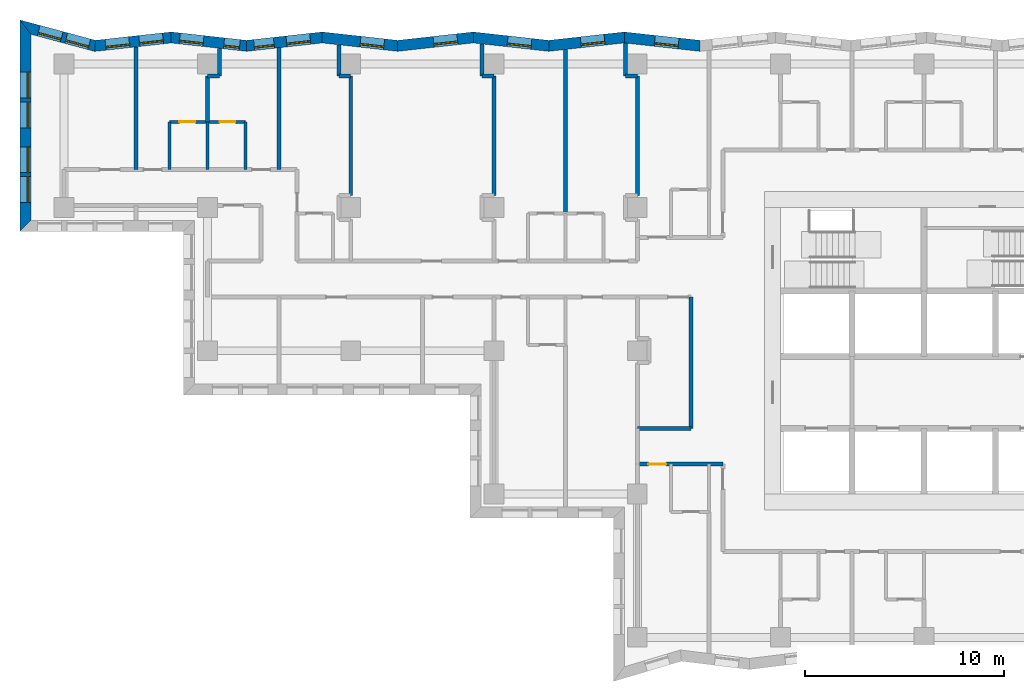
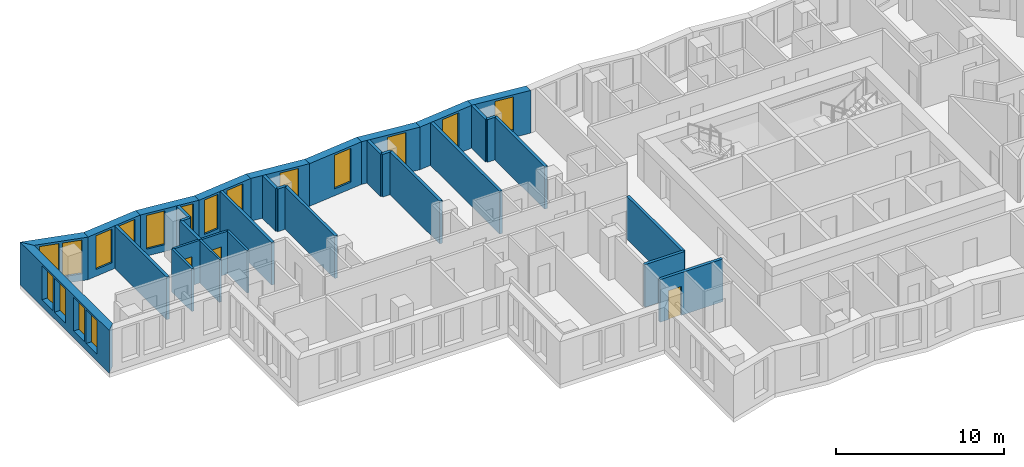
# One storey, part 5 of 13: 32 walls, 17 windows, 3 doors, 20 openings.
"""IFC4 building model written with IfcOpenShell, lengths in metres."""

from ifc_helpers import new_model, si_unit, direction, frame, frame_2d, origin, place, context, subcontext, project, spatial, polyline, rectangle, outline, extrude, material, layer, layer_set, type_object, element, fill, save


model = new_model("IFC4")

# Units and contexts
model_context = context("Model", 3, precision=1e-05, world=origin(), true_north=direction((0.0, 1.0)))
body_context = subcontext(model_context, "Body", "Model", "MODEL_VIEW")
ifc_project = project(units=[si_unit("LENGTHUNIT", "METRE"), si_unit("AREAUNIT", "SQUARE_METRE"), si_unit("VOLUMEUNIT", "CUBIC_METRE"), si_unit("PLANEANGLEUNIT", "RADIAN"), si_unit("MASSUNIT", "GRAM", prefix="KILO")], contexts=[model_context])

# Site, building, storey
site_placement = place(None, origin())
site = spatial("IfcSite", under=ifc_project, at=site_placement, CompositionType="ELEMENT")
building_placement = place(site_placement, origin())
building = spatial("IfcBuilding", under=site, at=building_placement, Name="Windrow Commons", CompositionType="ELEMENT")
storey_placement = place(building_placement, frame((0.0, 0.0, 94.8)))
storey = spatial("IfcBuildingStorey", under=building, at=storey_placement, Name="L25", CompositionType="ELEMENT", Elevation=94.8)

# Wall, opening, window
ifc_material_1 = material(Name="Brick masonry, red clay brick", Category="masonry")
ifc_layer_1 = layer(ifc_material_1, 0.55)
ifc_layer_set_1 = layer_set([ifc_layer_1], Name="Brick facade wall 550")
wall_type_1 = type_object("IfcWallType", Name="Brick facade wall 550", PredefinedType="SOLIDWALL", material=ifc_layer_set_1)
wall_1_placement = place(storey_placement, frame((53.5458, 72.9233, 0.0), z_axis=(0.0, 0.0, 1.0), x_axis=(-0.99390702, 0.1102217568, 0.0)))
wall_1 = element("IfcWall", 1, at=wall_1_placement, inside=storey, type_object=wall_type_1, Name="Brick facade wall L25 28", PredefinedType="SOLIDWALL", context=body_context, shape_type="SweptSolid", body=[
    extrude(outline(polyline([(0.0305, -0.275), (3.8501, -0.275), (3.7891, 0.275), (-0.0305, 0.275), (0.0305, -0.275)])), origin(), (0.0, 0.0, 1.0), 3.1),
])
opening_1_placement = place(wall_1_placement, frame((1.0826, 0.0, 0.5)))
opening_1 = element("IfcOpeningElement", 2, at=opening_1_placement, cuts=wall_1, Name="Opening W7D", PredefinedType="OPENING", context=body_context, shape_type="SweptSolid", body=[
    extrude(rectangle(XDim=1.2, YDim=2.45, at=frame_2d((0.6, 1.225))), frame((0.0, 0.285, 0.0), z_axis=(0.0, -1.0, 0.0), x_axis=(1.0, 0.0, 0.0)), (0.0, 0.0, 1.0), 0.57),
])
ifc_material_2 = material(Name="Clear float glass in anodised aluminium frame", Category="aluminium")
window_type_1 = type_object("IfcWindowType", Name="Window W7 notch 1200x2450", PartitioningType="SINGLE_PANEL", PredefinedType="WINDOW", material=ifc_material_2)
window_1_placement = place(opening_1_placement, origin())
window_1 = element("IfcWindow", 3, at=window_1_placement, inside=storey, type_object=window_type_1, Name="Window L25 28.1", OverallHeight=2.45, OverallWidth=1.2, PartitioningType="SINGLE_PANEL", PredefinedType="WINDOW", context=body_context, shape_type="SweptSolid", body=[
    extrude(rectangle(XDim=1.2, YDim=2.45, at=frame_2d((0.6, 1.225))), frame((0.0, 0.155, 0.0), z_axis=(0.0, -1.0, 0.0), x_axis=(1.0, 0.0, 0.0)), (0.0, 0.0, 1.0), 0.06),
])
fill(opening_1, window_1)

wall_2_placement = place(storey_placement, frame((49.7495, 73.3443, 0.0), z_axis=(0.0, 0.0, 1.0), x_axis=(-0.99390702, -0.1102217568, 0.0)))
wall_2 = element("IfcWall", 4, at=wall_2_placement, inside=storey, type_object=wall_type_1, Name="Brick facade wall L25 29", PredefinedType="SOLIDWALL", context=body_context, shape_type="SweptSolid", body=[
    extrude(outline(polyline([(-0.0305, -0.275), (3.7891, -0.275), (3.8501, 0.275), (0.0305, 0.275), (-0.0305, -0.275)])), origin(), (0.0, 0.0, 1.0), 3.1),
])
opening_2_placement = place(wall_2_placement, frame((0.999, 0.0, 0.5)))
opening_2 = element("IfcOpeningElement", 5, at=opening_2_placement, cuts=wall_2, Name="Opening W7D", PredefinedType="OPENING", context=body_context, shape_type="SweptSolid", body=[
    extrude(rectangle(XDim=1.2, YDim=2.45, at=frame_2d((0.6, 1.225))), frame((0.0, 0.285, 0.0), z_axis=(0.0, -1.0, 0.0), x_axis=(1.0, 0.0, 0.0)), (0.0, 0.0, 1.0), 0.57),
])
window_2_placement = place(opening_2_placement, origin())
window_2 = element("IfcWindow", 6, at=window_2_placement, inside=storey, type_object=window_type_1, Name="Window L25 29.1", OverallHeight=2.45, OverallWidth=1.2, PartitioningType="SINGLE_PANEL", PredefinedType="WINDOW", context=body_context, shape_type="SweptSolid", body=[
    extrude(rectangle(XDim=1.2, YDim=2.45, at=frame_2d((0.6, 1.225))), frame((0.0, 0.155, 0.0), z_axis=(0.0, -1.0, 0.0), x_axis=(1.0, 0.0, 0.0)), (0.0, 0.0, 1.0), 0.06),
])
fill(opening_2, window_2)

wall_3_placement = place(storey_placement, frame((45.9532, 72.9233, 0.0), z_axis=(0.0, 0.0, 1.0), x_axis=(-0.99390702, 0.1102217568, 0.0)))
wall_3 = element("IfcWall", 7, at=wall_3_placement, inside=storey, type_object=wall_type_1, Name="Brick facade wall L25 30", PredefinedType="SOLIDWALL", context=body_context, shape_type="SweptSolid", body=[
    extrude(outline(polyline([(0.0305, -0.275), (3.8501, -0.275), (3.7891, 0.275), (-0.0305, 0.275), (0.0305, -0.275)])), origin(), (0.0, 0.0, 1.0), 3.1),
])
opening_3_placement = place(wall_3_placement, frame((0.885, 0.0, 0.5)))
opening_3 = element("IfcOpeningElement", 8, at=opening_3_placement, cuts=wall_3, Name="Opening W7D", PredefinedType="OPENING", context=body_context, shape_type="SweptSolid", body=[
    extrude(rectangle(XDim=1.2, YDim=2.45, at=frame_2d((0.6, 1.225))), frame((0.0, 0.285, 0.0), z_axis=(0.0, -1.0, 0.0), x_axis=(1.0, 0.0, 0.0)), (0.0, 0.0, 1.0), 0.57),
])
window_3_placement = place(opening_3_placement, origin())
window_3 = element("IfcWindow", 9, at=window_3_placement, inside=storey, type_object=window_type_1, Name="Window L25 30.1", OverallHeight=2.45, OverallWidth=1.2, PartitioningType="SINGLE_PANEL", PredefinedType="WINDOW", context=body_context, shape_type="SweptSolid", body=[
    extrude(rectangle(XDim=1.2, YDim=2.45, at=frame_2d((0.6, 1.225))), frame((0.0, 0.155, 0.0), z_axis=(0.0, -1.0, 0.0), x_axis=(1.0, 0.0, 0.0)), (0.0, 0.0, 1.0), 0.06),
])
fill(opening_3, window_3)

wall_4_placement = place(storey_placement, frame((42.1569, 73.3443, 0.0), z_axis=(0.0, 0.0, 1.0), x_axis=(-0.99390702, -0.1102217568, 0.0)))
wall_4 = element("IfcWall", 10, at=wall_4_placement, inside=storey, type_object=wall_type_1, Name="Brick facade wall L25 31", PredefinedType="SOLIDWALL", context=body_context, shape_type="SweptSolid", body=[
    extrude(outline(polyline([(-0.0305, -0.275), (3.7891, -0.275), (3.8501, 0.275), (0.0305, 0.275), (-0.0305, -0.275)])), origin(), (0.0, 0.0, 1.0), 3.1),
])
opening_4_placement = place(wall_4_placement, frame((0.8015, 0.0, 0.5)))
opening_4 = element("IfcOpeningElement", 11, at=opening_4_placement, cuts=wall_4, Name="Opening W7D", PredefinedType="OPENING", context=body_context, shape_type="SweptSolid", body=[
    extrude(rectangle(XDim=1.2, YDim=2.45, at=frame_2d((0.6, 1.225))), frame((0.0, 0.285, 0.0), z_axis=(0.0, -1.0, 0.0), x_axis=(1.0, 0.0, 0.0)), (0.0, 0.0, 1.0), 0.57),
])
window_4_placement = place(opening_4_placement, origin())
window_4 = element("IfcWindow", 12, at=window_4_placement, inside=storey, type_object=window_type_1, Name="Window L25 31.1", OverallHeight=2.45, OverallWidth=1.2, PartitioningType="SINGLE_PANEL", PredefinedType="WINDOW", context=body_context, shape_type="SweptSolid", body=[
    extrude(rectangle(XDim=1.2, YDim=2.45, at=frame_2d((0.6, 1.225))), frame((0.0, 0.155, 0.0), z_axis=(0.0, -1.0, 0.0), x_axis=(1.0, 0.0, 0.0)), (0.0, 0.0, 1.0), 0.06),
])
fill(opening_4, window_4)

wall_5_placement = place(storey_placement, frame((38.3606, 72.9233, 0.0), z_axis=(0.0, 0.0, 1.0), x_axis=(-0.99390702, 0.1102217568, 0.0)))
wall_5 = element("IfcWall", 13, at=wall_5_placement, inside=storey, type_object=wall_type_1, Name="Brick facade wall L25 32", PredefinedType="SOLIDWALL", context=body_context, shape_type="SweptSolid", body=[
    extrude(outline(polyline([(0.0305, -0.275), (3.8501, -0.275), (3.7891, 0.275), (-0.0305, 0.275), (0.0305, -0.275)])), origin(), (0.0, 0.0, 1.0), 3.1),
])
opening_5_placement = place(wall_5_placement, frame((0.6875, 0.0, 0.5)))
opening_5 = element("IfcOpeningElement", 14, at=opening_5_placement, cuts=wall_5, Name="Opening W7D", PredefinedType="OPENING", context=body_context, shape_type="SweptSolid", body=[
    extrude(rectangle(XDim=1.2, YDim=2.45, at=frame_2d((0.6, 1.225))), frame((0.0, 0.285, 0.0), z_axis=(0.0, -1.0, 0.0), x_axis=(1.0, 0.0, 0.0)), (0.0, 0.0, 1.0), 0.57),
])
window_5_placement = place(opening_5_placement, origin())
window_5 = element("IfcWindow", 15, at=window_5_placement, inside=storey, type_object=window_type_1, Name="Window L25 32.1", OverallHeight=2.45, OverallWidth=1.2, PartitioningType="SINGLE_PANEL", PredefinedType="WINDOW", context=body_context, shape_type="SweptSolid", body=[
    extrude(rectangle(XDim=1.2, YDim=2.45, at=frame_2d((0.6, 1.225))), frame((0.0, 0.155, 0.0), z_axis=(0.0, -1.0, 0.0), x_axis=(1.0, 0.0, 0.0)), (0.0, 0.0, 1.0), 0.06),
])
fill(opening_5, window_5)

# Wall, openings, windows
wall_6_placement = place(storey_placement, frame((34.5643, 73.3443, 0.0), z_axis=(0.0, 0.0, 1.0), x_axis=(-0.993907338, -0.1102188888, 0.0)))
wall_6 = element("IfcWall", 16, at=wall_6_placement, inside=storey, type_object=wall_type_1, Name="Brick facade wall L25 33", PredefinedType="SOLIDWALL", context=body_context, shape_type="SweptSolid", body=[
    extrude(outline(polyline([(-0.0305, -0.275), (3.7891, -0.275), (3.8501, 0.275), (0.0305, 0.275), (-0.0305, -0.275)])), origin(), (0.0, 0.0, 1.0), 3.1),
])
opening_6_placement = place(wall_6_placement, frame((0.604, 0.0, 0.5)))
opening_6 = element("IfcOpeningElement", 17, at=opening_6_placement, cuts=wall_6, Name="Opening W7D", PredefinedType="OPENING", context=body_context, shape_type="SweptSolid", body=[
    extrude(rectangle(XDim=1.2, YDim=2.45, at=frame_2d((0.6, 1.225))), frame((0.0, 0.285, 0.0), z_axis=(0.0, -1.0, 0.0), x_axis=(1.0, 0.0, 0.0)), (0.0, 0.0, 1.0), 0.57),
])
opening_7_placement = place(wall_6_placement, frame((2.4388, 0.0, 0.45)))
opening_7 = element("IfcOpeningElement", 18, at=opening_7_placement, cuts=wall_6, Name="Opening W1S", PredefinedType="OPENING", context=body_context, shape_type="SweptSolid", body=[
    extrude(rectangle(XDim=1.0, YDim=2.5, at=frame_2d((0.5, 1.25))), frame((0.0, 0.285, 0.0), z_axis=(0.0, -1.0, 0.0), x_axis=(1.0, 0.0, 0.0)), (0.0, 0.0, 1.0), 0.57),
])
ifc_material_3 = material(Name="Clear float glass in anodised aluminium frame", Category="aluminium")
window_type_2 = type_object("IfcWindowType", Name="Window W1S slit 1000x2500", PartitioningType="SINGLE_PANEL", PredefinedType="WINDOW", material=ifc_material_3)
window_6_placement = place(opening_7_placement, origin())
window_6 = element("IfcWindow", 19, at=window_6_placement, inside=storey, type_object=window_type_2, Name="Window L25 33.2A", OverallHeight=2.5, OverallWidth=1.0, PartitioningType="SINGLE_PANEL", PredefinedType="WINDOW", context=body_context, shape_type="SweptSolid", body=[
    extrude(rectangle(XDim=1.0, YDim=2.5, at=frame_2d((0.5, 1.25))), frame((0.0, 0.155, 0.0), z_axis=(0.0, -1.0, 0.0), x_axis=(1.0, 0.0, 0.0)), (0.0, 0.0, 1.0), 0.06),
])
fill(opening_7, window_6)
window_7_placement = place(opening_6_placement, origin())
window_7 = element("IfcWindow", 20, at=window_7_placement, inside=storey, type_object=window_type_1, Name="Window L25 33.1", OverallHeight=2.45, OverallWidth=1.2, PartitioningType="SINGLE_PANEL", PredefinedType="WINDOW", context=body_context, shape_type="SweptSolid", body=[
    extrude(rectangle(XDim=1.2, YDim=2.45, at=frame_2d((0.6, 1.225))), frame((0.0, 0.155, 0.0), z_axis=(0.0, -1.0, 0.0), x_axis=(1.0, 0.0, 0.0)), (0.0, 0.0, 1.0), 0.06),
])
fill(opening_6, window_7)

wall_7_placement = place(storey_placement, frame((30.7679, 72.9233, 0.0), z_axis=(0.0, 0.0, 1.0), x_axis=(-0.99390702, 0.1102217568, 0.0)))
wall_7 = element("IfcWall", 21, at=wall_7_placement, inside=storey, type_object=wall_type_1, Name="Brick facade wall L25 34", PredefinedType="SOLIDWALL", context=body_context, shape_type="SweptSolid", body=[
    extrude(outline(polyline([(0.0305, -0.275), (3.8501, -0.275), (3.7891, 0.275), (-0.0305, 0.275), (0.0305, -0.275)])), origin(), (0.0, 0.0, 1.0), 3.1),
])
opening_8_placement = place(wall_7_placement, frame((2.1845, 0.0, 0.5)))
opening_8 = element("IfcOpeningElement", 22, at=opening_8_placement, cuts=wall_7, Name="Opening W7D", PredefinedType="OPENING", context=body_context, shape_type="SweptSolid", body=[
    extrude(rectangle(XDim=1.2, YDim=2.45, at=frame_2d((0.6, 1.225))), frame((0.0, 0.285, 0.0), z_axis=(0.0, -1.0, 0.0), x_axis=(1.0, 0.0, 0.0)), (0.0, 0.0, 1.0), 0.57),
])
opening_9_placement = place(wall_7_placement, frame((0.348, 0.0, 0.45)))
opening_9 = element("IfcOpeningElement", 23, at=opening_9_placement, cuts=wall_7, Name="Opening W1N", PredefinedType="OPENING", context=body_context, shape_type="SweptSolid", body=[
    extrude(rectangle(XDim=0.8, YDim=2.5, at=frame_2d((0.4, 1.25))), frame((0.0, 0.285, 0.0), z_axis=(0.0, -1.0, 0.0), x_axis=(1.0, 0.0, 0.0)), (0.0, 0.0, 1.0), 0.57),
])
ifc_material_4 = material(Name="Clear float glass in anodised aluminium frame", Category="aluminium")
window_type_3 = type_object("IfcWindowType", Name="Window W1N slit 800x2500", PartitioningType="SINGLE_PANEL", PredefinedType="WINDOW", material=ifc_material_4)
window_8_placement = place(opening_9_placement, origin())
window_8 = element("IfcWindow", 24, at=window_8_placement, inside=storey, type_object=window_type_3, Name="Window L25 34.1A", OverallHeight=2.5, OverallWidth=0.8, PartitioningType="SINGLE_PANEL", PredefinedType="WINDOW", context=body_context, shape_type="SweptSolid", body=[
    extrude(rectangle(XDim=0.8, YDim=2.5, at=frame_2d((0.4, 1.25))), frame((0.0, 0.155, 0.0), z_axis=(0.0, -1.0, 0.0), x_axis=(1.0, 0.0, 0.0)), (0.0, 0.0, 1.0), 0.06),
])
fill(opening_9, window_8)
window_9_placement = place(opening_8_placement, origin())
window_9 = element("IfcWindow", 25, at=window_9_placement, inside=storey, type_object=window_type_1, Name="Window L25 34.2", OverallHeight=2.45, OverallWidth=1.2, PartitioningType="SINGLE_PANEL", PredefinedType="WINDOW", context=body_context, shape_type="SweptSolid", body=[
    extrude(rectangle(XDim=1.2, YDim=2.45, at=frame_2d((0.6, 1.225))), frame((0.0, 0.155, 0.0), z_axis=(0.0, -1.0, 0.0), x_axis=(1.0, 0.0, 0.0)), (0.0, 0.0, 1.0), 0.06),
])
fill(opening_8, window_9)

wall_8_placement = place(storey_placement, frame((26.9716, 73.3443, 0.0), z_axis=(0.0, 0.0, 1.0), x_axis=(-0.9939087915, -0.1102057815, 0.0)))
wall_8 = element("IfcWall", 26, at=wall_8_placement, inside=storey, type_object=wall_type_1, Name="Brick facade wall L25 35", PredefinedType="SOLIDWALL", context=body_context, shape_type="SweptSolid", body=[
    extrude(outline(polyline([(-0.0305, -0.275), (3.7891, -0.275), (3.8929, 0.275), (0.0305, 0.275), (-0.0305, -0.275)])), origin(), (0.0, 0.0, 1.0), 3.1),
])
opening_10_placement = place(wall_8_placement, frame((0.4065, 0.0, 0.5)))
opening_10 = element("IfcOpeningElement", 27, at=opening_10_placement, cuts=wall_8, Name="Opening W7D", PredefinedType="OPENING", context=body_context, shape_type="SweptSolid", body=[
    extrude(rectangle(XDim=1.2, YDim=2.45, at=frame_2d((0.6, 1.225))), frame((0.0, 0.285, 0.0), z_axis=(0.0, -1.0, 0.0), x_axis=(1.0, 0.0, 0.0)), (0.0, 0.0, 1.0), 0.57),
])
opening_11_placement = place(wall_8_placement, frame((2.1117, 0.0, 0.5)))
opening_11 = element("IfcOpeningElement", 28, at=opening_11_placement, cuts=wall_8, Name="Opening W7D", PredefinedType="OPENING", context=body_context, shape_type="SweptSolid", body=[
    extrude(rectangle(XDim=1.2, YDim=2.45, at=frame_2d((0.6, 1.225))), frame((0.0, 0.285, 0.0), z_axis=(0.0, -1.0, 0.0), x_axis=(1.0, 0.0, 0.0)), (0.0, 0.0, 1.0), 0.57),
])
window_10_placement = place(opening_10_placement, origin())
window_10 = element("IfcWindow", 29, at=window_10_placement, inside=storey, type_object=window_type_1, Name="Window L25 35.1", OverallHeight=2.45, OverallWidth=1.2, PartitioningType="SINGLE_PANEL", PredefinedType="WINDOW", context=body_context, shape_type="SweptSolid", body=[
    extrude(rectangle(XDim=1.2, YDim=2.45, at=frame_2d((0.6, 1.225))), frame((0.0, 0.155, 0.0), z_axis=(0.0, -1.0, 0.0), x_axis=(1.0, 0.0, 0.0)), (0.0, 0.0, 1.0), 0.06),
])
fill(opening_10, window_10)
window_11_placement = place(opening_11_placement, origin())
window_11 = element("IfcWindow", 30, at=window_11_placement, inside=storey, type_object=window_type_1, Name="Window L25 35.2", OverallHeight=2.45, OverallWidth=1.2, PartitioningType="SINGLE_PANEL", PredefinedType="WINDOW", context=body_context, shape_type="SweptSolid", body=[
    extrude(rectangle(XDim=1.2, YDim=2.45, at=frame_2d((0.6, 1.225))), frame((0.0, 0.155, 0.0), z_axis=(0.0, -1.0, 0.0), x_axis=(1.0, 0.0, 0.0)), (0.0, 0.0, 1.0), 0.06),
])
fill(opening_11, window_11)

wall_9_placement = place(storey_placement, frame((23.154, 72.921, 0.0), z_axis=(0.0, 0.0, 1.0), x_axis=(-0.9656855195, 0.2597142227, 0.0)))
wall_9 = element("IfcWall", 31, at=wall_9_placement, inside=storey, type_object=wall_type_1, Name="Brick facade wall L25 36", PredefinedType="SOLIDWALL", context=body_context, shape_type="SweptSolid", body=[
    extrude(outline(polyline([(0.0519, -0.275), (3.9831, -0.275), (3.2657, 0.275), (-0.0519, 0.275), (0.0519, -0.275)])), origin(), (0.0, 0.0, 1.0), 3.1),
])
opening_12_placement = place(wall_9_placement, frame((0.3046, 0.0, 0.5)))
opening_12 = element("IfcOpeningElement", 32, at=opening_12_placement, cuts=wall_9, Name="Opening W7D", PredefinedType="OPENING", context=body_context, shape_type="SweptSolid", body=[
    extrude(rectangle(XDim=1.2, YDim=2.45, at=frame_2d((0.6, 1.225))), frame((0.0, 0.285, 0.0), z_axis=(0.0, -1.0, 0.0), x_axis=(1.0, 0.0, 0.0)), (0.0, 0.0, 1.0), 0.57),
])
opening_13_placement = place(wall_9_placement, frame((1.7375, 0.0, 0.5)))
opening_13 = element("IfcOpeningElement", 33, at=opening_13_placement, cuts=wall_9, Name="Opening W7D", PredefinedType="OPENING", context=body_context, shape_type="SweptSolid", body=[
    extrude(rectangle(XDim=1.2, YDim=2.45, at=frame_2d((0.6, 1.225))), frame((0.0, 0.285, 0.0), z_axis=(0.0, -1.0, 0.0), x_axis=(1.0, 0.0, 0.0)), (0.0, 0.0, 1.0), 0.57),
])
window_12_placement = place(opening_12_placement, origin())
window_12 = element("IfcWindow", 34, at=window_12_placement, inside=storey, type_object=window_type_1, Name="Window L25 36.1", OverallHeight=2.45, OverallWidth=1.2, PartitioningType="SINGLE_PANEL", PredefinedType="WINDOW", context=body_context, shape_type="SweptSolid", body=[
    extrude(rectangle(XDim=1.2, YDim=2.45, at=frame_2d((0.6, 1.225))), frame((0.0, 0.155, 0.0), z_axis=(0.0, -1.0, 0.0), x_axis=(1.0, 0.0, 0.0)), (0.0, 0.0, 1.0), 0.06),
])
fill(opening_12, window_12)
window_13_placement = place(opening_13_placement, origin())
window_13 = element("IfcWindow", 35, at=window_13_placement, inside=storey, type_object=window_type_1, Name="Window L25 36.2", OverallHeight=2.45, OverallWidth=1.2, PartitioningType="SINGLE_PANEL", PredefinedType="WINDOW", context=body_context, shape_type="SweptSolid", body=[
    extrude(rectangle(XDim=1.2, YDim=2.45, at=frame_2d((0.6, 1.225))), frame((0.0, 0.155, 0.0), z_axis=(0.0, -1.0, 0.0), x_axis=(1.0, 0.0, 0.0)), (0.0, 0.0, 1.0), 0.06),
])
fill(opening_13, window_13)

wall_10_placement = place(storey_placement, frame((19.654, 73.8623, 0.0), z_axis=(0.0, 0.0, 1.0), x_axis=(0.0, -1.0, 0.0)))
wall_10 = element("IfcWall", 36, at=wall_10_placement, inside=storey, type_object=wall_type_1, Name="Brick facade wall L25 37", PredefinedType="SOLIDWALL", context=body_context, shape_type="SweptSolid", body=[
    extrude(outline(polyline([(-0.3587, -0.275), (10.2623, -0.275), (9.7123, 0.275), (0.3587, 0.275), (-0.3587, -0.275)])), origin(), (0.0, 0.0, 1.0), 3.1),
])
opening_14_placement = place(wall_10_placement, frame((2.2623, 0.0, 0.5)))
opening_14 = element("IfcOpeningElement", 37, at=opening_14_placement, cuts=wall_10, Name="Opening W1P", PredefinedType="OPENING", context=body_context, shape_type="SweptSolid", body=[
    extrude(rectangle(XDim=1.3, YDim=2.45, at=frame_2d((0.65, 1.225))), frame((0.0, 0.285, 0.0), z_axis=(0.0, -1.0, 0.0), x_axis=(1.0, 0.0, 0.0)), (0.0, 0.0, 1.0), 0.57),
])
opening_15_placement = place(wall_10_placement, frame((3.7623, 0.0, 0.5)))
opening_15 = element("IfcOpeningElement", 38, at=opening_15_placement, cuts=wall_10, Name="Opening W1P", PredefinedType="OPENING", context=body_context, shape_type="SweptSolid", body=[
    extrude(rectangle(XDim=1.3, YDim=2.45, at=frame_2d((0.65, 1.225))), frame((0.0, 0.285, 0.0), z_axis=(0.0, -1.0, 0.0), x_axis=(1.0, 0.0, 0.0)), (0.0, 0.0, 1.0), 0.57),
])
opening_16_placement = place(wall_10_placement, frame((6.0123, 0.0, 0.5)))
opening_16 = element("IfcOpeningElement", 39, at=opening_16_placement, cuts=wall_10, Name="Opening W1P", PredefinedType="OPENING", context=body_context, shape_type="SweptSolid", body=[
    extrude(rectangle(XDim=1.3, YDim=2.45, at=frame_2d((0.65, 1.225))), frame((0.0, 0.285, 0.0), z_axis=(0.0, -1.0, 0.0), x_axis=(1.0, 0.0, 0.0)), (0.0, 0.0, 1.0), 0.57),
])
opening_17_placement = place(wall_10_placement, frame((7.5123, 0.0, 0.5)))
opening_17 = element("IfcOpeningElement", 40, at=opening_17_placement, cuts=wall_10, Name="Opening W1P", PredefinedType="OPENING", context=body_context, shape_type="SweptSolid", body=[
    extrude(rectangle(XDim=1.3, YDim=2.45, at=frame_2d((0.65, 1.225))), frame((0.0, 0.285, 0.0), z_axis=(0.0, -1.0, 0.0), x_axis=(1.0, 0.0, 0.0)), (0.0, 0.0, 1.0), 0.57),
])
ifc_material_5 = material(Name="Clear float glass in anodised aluminium frame", Category="aluminium")
window_type_4 = type_object("IfcWindowType", Name="Window W1P pair 1300x2450", PartitioningType="SINGLE_PANEL", PredefinedType="WINDOW", material=ifc_material_5)
window_14_placement = place(opening_14_placement, origin())
window_14 = element("IfcWindow", 41, at=window_14_placement, inside=storey, type_object=window_type_4, Name="Window L25 37.1A", OverallHeight=2.45, OverallWidth=1.3, PartitioningType="SINGLE_PANEL", PredefinedType="WINDOW", context=body_context, shape_type="SweptSolid", body=[
    extrude(rectangle(XDim=1.3, YDim=2.45, at=frame_2d((0.65, 1.225))), frame((0.0, 0.155, 0.0), z_axis=(0.0, -1.0, 0.0), x_axis=(1.0, 0.0, 0.0)), (0.0, 0.0, 1.0), 0.06),
])
fill(opening_14, window_14)
window_15_placement = place(opening_15_placement, origin())
window_15 = element("IfcWindow", 42, at=window_15_placement, inside=storey, type_object=window_type_4, Name="Window L25 37.1B", OverallHeight=2.45, OverallWidth=1.3, PartitioningType="SINGLE_PANEL", PredefinedType="WINDOW", context=body_context, shape_type="SweptSolid", body=[
    extrude(rectangle(XDim=1.3, YDim=2.45, at=frame_2d((0.65, 1.225))), frame((0.0, 0.155, 0.0), z_axis=(0.0, -1.0, 0.0), x_axis=(1.0, 0.0, 0.0)), (0.0, 0.0, 1.0), 0.06),
])
fill(opening_15, window_15)
window_16_placement = place(opening_16_placement, origin())
window_16 = element("IfcWindow", 43, at=window_16_placement, inside=storey, type_object=window_type_4, Name="Window L25 37.2A", OverallHeight=2.45, OverallWidth=1.3, PartitioningType="SINGLE_PANEL", PredefinedType="WINDOW", context=body_context, shape_type="SweptSolid", body=[
    extrude(rectangle(XDim=1.3, YDim=2.45, at=frame_2d((0.65, 1.225))), frame((0.0, 0.155, 0.0), z_axis=(0.0, -1.0, 0.0), x_axis=(1.0, 0.0, 0.0)), (0.0, 0.0, 1.0), 0.06),
])
fill(opening_16, window_16)
window_17_placement = place(opening_17_placement, origin())
window_17 = element("IfcWindow", 44, at=window_17_placement, inside=storey, type_object=window_type_4, Name="Window L25 37.2B", OverallHeight=2.45, OverallWidth=1.3, PartitioningType="SINGLE_PANEL", PredefinedType="WINDOW", context=body_context, shape_type="SweptSolid", body=[
    extrude(rectangle(XDim=1.3, YDim=2.45, at=frame_2d((0.65, 1.225))), frame((0.0, 0.155, 0.0), z_axis=(0.0, -1.0, 0.0), x_axis=(1.0, 0.0, 0.0)), (0.0, 0.0, 1.0), 0.06),
])
fill(opening_17, window_17)

# Wall
ifc_material_6 = material(Name="Blockwork partition", Category="masonry")
ifc_layer_2 = layer(ifc_material_6, 0.2)
ifc_layer_set_2 = layer_set([ifc_layer_2], Name="IW-CORRIDOR-200")
wall_type_2 = type_object("IfcWallType", Name="IW-CORRIDOR-200", PredefinedType="PARTITIONING", material=ifc_layer_set_2)
wall_11_placement = place(storey_placement, frame((53.1, 53.7, 0.0), z_axis=(0.0, 0.0, 1.0), x_axis=(0.0, 1.0, 0.0)))
element("IfcWall", 45, at=wall_11_placement, inside=storey, type_object=wall_type_2, Name="W-L25-W024", PredefinedType="PARTITIONING", context=body_context, shape_type="SweptSolid", body=[
    extrude(rectangle(XDim=6.6, YDim=0.2, at=frame_2d((3.3, 0.0))), origin(), (0.0, 0.0, 1.0), 3.1),
])

# Wall, opening, door
wall_12_placement = place(storey_placement, frame((50.4, 51.9, 0.0), z_axis=(0.0, 0.0, 1.0), x_axis=(1.0, 0.0, 0.0)))
wall_12 = element("IfcWall", 46, at=wall_12_placement, inside=storey, type_object=wall_type_2, Name="W-L25-W051", PredefinedType="PARTITIONING", context=body_context, shape_type="SweptSolid", body=[
    extrude(rectangle(XDim=4.3, YDim=0.2, at=frame_2d((2.15, 0.0))), origin(), (0.0, 0.0, 1.0), 3.1),
])
opening_18_placement = place(wall_12_placement, frame((0.5517, 0.0, 0.0)))
opening_18 = element("IfcOpeningElement", 47, at=opening_18_placement, cuts=wall_12, Name="Opening D109S", PredefinedType="OPENING", context=body_context, shape_type="SweptSolid", body=[
    extrude(rectangle(XDim=0.9, YDim=2.1, at=frame_2d((0.45, 1.05))), frame((0.0, 0.11, 0.0), z_axis=(0.0, -1.0, 0.0), x_axis=(1.0, 0.0, 0.0)), (0.0, 0.0, 1.0), 0.22),
])
ifc_material_7 = material(Name="Timber door leaf", Category="wood")
door_type_1 = type_object("IfcDoorType", Name="DT-BEDROOM-900", OperationType="SINGLE_SWING_LEFT", PredefinedType="DOOR", material=ifc_material_7)
door_1_placement = place(opening_18_placement, origin())
door_1 = element("IfcDoor", 48, at=door_1_placement, inside=storey, type_object=door_type_1, Name="D-L25-D026", OperationType="SINGLE_SWING_LEFT", OverallHeight=2.1, OverallWidth=0.9, PredefinedType="DOOR", context=body_context, shape_type="SweptSolid", body=[
    extrude(rectangle(XDim=0.9, YDim=2.1, at=frame_2d((0.45, 1.05))), frame((0.0, 0.025, 0.0), z_axis=(0.0, -1.0, 0.0), x_axis=(1.0, 0.0, 0.0)), (0.0, 0.0, 1.0), 0.05),
])
fill(opening_18, door_1)

# Wall
wall_13_placement = place(storey_placement, frame((50.4, 53.7, 0.0), z_axis=(0.0, 0.0, 1.0), x_axis=(1.0, 0.0, 0.0)))
element("IfcWall", 49, at=wall_13_placement, inside=storey, type_object=wall_type_2, Name="W-L25-W066", PredefinedType="PARTITIONING", context=body_context, shape_type="SweptSolid", body=[
    extrude(rectangle(XDim=2.7, YDim=0.2, at=frame_2d((1.35, 0.0))), origin(), (0.0, 0.0, 1.0), 3.1),
])

# Wall, openings, doors
ifc_material_8 = material(Name="Blockwork partition", Category="masonry")
ifc_layer_3 = layer(ifc_material_8, 0.15)
ifc_layer_set_3 = layer_set([ifc_layer_3], Name="IW-ENSUITE-150")
wall_type_3 = type_object("IfcWallType", Name="IW-ENSUITE-150", PredefinedType="PARTITIONING", material=ifc_layer_set_3)
wall_14_placement = place(storey_placement, frame((26.9, 69.1, 0.0), z_axis=(0.0, 0.0, 1.0), x_axis=(1.0, 0.0, 0.0)))
wall_14 = element("IfcWall", 50, at=wall_14_placement, inside=storey, type_object=wall_type_3, Name="W-L25-W056", PredefinedType="PARTITIONING", context=body_context, shape_type="SweptSolid", body=[
    extrude(rectangle(XDim=3.8, YDim=0.15, at=frame_2d((1.9, 0.0))), origin(), (0.0, 0.0, 1.0), 3.1),
])
opening_19_placement = place(wall_14_placement, frame((0.4931, 0.0, 0.0)))
opening_19 = element("IfcOpeningElement", 51, at=opening_19_placement, cuts=wall_14, Name="Opening D208N", PredefinedType="OPENING", context=body_context, shape_type="SweptSolid", body=[
    extrude(rectangle(XDim=0.8, YDim=2.1, at=frame_2d((0.4, 1.05))), frame((0.0, 0.085, 0.0), z_axis=(0.0, -1.0, 0.0), x_axis=(1.0, 0.0, 0.0)), (0.0, 0.0, 1.0), 0.17),
])
opening_20_placement = place(wall_14_placement, frame((2.5069, 0.0, 0.0)))
opening_20 = element("IfcOpeningElement", 52, at=opening_20_placement, cuts=wall_14, Name="Opening D208N", PredefinedType="OPENING", context=body_context, shape_type="SweptSolid", body=[
    extrude(rectangle(XDim=0.8, YDim=2.1, at=frame_2d((0.4, 1.05))), frame((0.0, 0.085, 0.0), z_axis=(0.0, -1.0, 0.0), x_axis=(1.0, 0.0, 0.0)), (0.0, 0.0, 1.0), 0.17),
])
ifc_material_9 = material(Name="Timber door leaf", Category="wood")
door_type_2 = type_object("IfcDoorType", Name="DT-ENSUITE-800", OperationType="SINGLE_SWING_LEFT", PredefinedType="DOOR", material=ifc_material_9)
door_2_placement = place(opening_19_placement, origin())
door_2 = element("IfcDoor", 53, at=door_2_placement, inside=storey, type_object=door_type_2, Name="D-L25-D003", OperationType="SINGLE_SWING_RIGHT", OverallHeight=2.1, OverallWidth=0.8, PredefinedType="DOOR", context=body_context, shape_type="SweptSolid", body=[
    extrude(rectangle(XDim=0.8, YDim=2.1, at=frame_2d((0.4, 1.05))), frame((0.0, 0.025, 0.0), z_axis=(0.0, -1.0, 0.0), x_axis=(1.0, 0.0, 0.0)), (0.0, 0.0, 1.0), 0.05),
])
fill(opening_19, door_2)
door_3_placement = place(opening_20_placement, origin())
door_3 = element("IfcDoor", 54, at=door_3_placement, inside=storey, type_object=door_type_2, Name="D-L25-D005", OperationType="SINGLE_SWING_RIGHT", OverallHeight=2.1, OverallWidth=0.8, PredefinedType="DOOR", context=body_context, shape_type="SweptSolid", body=[
    extrude(rectangle(XDim=0.8, YDim=2.1, at=frame_2d((0.4, 1.05))), frame((0.0, 0.025, 0.0), z_axis=(0.0, -1.0, 0.0), x_axis=(1.0, 0.0, 0.0)), (0.0, 0.0, 1.0), 0.05),
])
fill(opening_20, door_3)

# Walls
for number, where, z_axis, x_axis, name in (
    (55, (26.9, 66.7, 0.0), (0.0, 0.0, 1.0), (0.0, 1.0, 0.0), "W-L25-W089"),
    (56, (28.8, 66.7, 0.0), (0.0, 0.0, 1.0), (0.0, 1.0, 0.0), "W-L25-W090"),
    (57, (30.7, 66.7, 0.0), (0.0, 0.0, 1.0), (0.0, 1.0, 0.0), "W-L25-W091"),
):
    element("IfcWall", number, at=place(storey_placement, frame(where, z_axis=z_axis, x_axis=x_axis)), inside=storey, type_object=wall_type_3, Name=name, PredefinedType="PARTITIONING", context=body_context, shape_type="SweptSolid", body=[
        extrude(rectangle(XDim=2.4, YDim=0.15, at=frame_2d((1.2, 0.0))), origin(), (0.0, 0.0, 1.0), 3.1),
    ])
ifc_material_10 = material(Name="Blockwork partition", Category="masonry")
ifc_layer_4 = layer(ifc_material_10, 0.2)
ifc_layer_set_4 = layer_set([ifc_layer_4], Name="IW-PARTY-200")
wall_type_4 = type_object("IfcWallType", Name="IW-PARTY-200", PredefinedType="PARTITIONING", material=ifc_layer_set_4)
wall_15_placement = place(storey_placement, frame((46.8, 64.5, 0.0), z_axis=(0.0, 0.0, 1.0), x_axis=(0.0, 1.0, 0.0)))
element("IfcWall", 58, at=wall_15_placement, inside=storey, type_object=wall_type_4, Name="W-L25-W013", PredefinedType="PARTITIONING", context=body_context, shape_type="SweptSolid", body=[
    extrude(rectangle(XDim=8.2405, YDim=0.2, at=frame_2d((4.1203, 0.0))), origin(), (0.0, 0.0, 1.0), 3.1),
])
wall_16_placement = place(storey_placement, frame((25.2, 66.7, 0.0), z_axis=(0.0, 0.0, 1.0), x_axis=(0.0, 1.0, 0.0)))
element("IfcWall", 59, at=wall_16_placement, inside=storey, type_object=wall_type_4, Name="W-L25-W030", PredefinedType="PARTITIONING", context=body_context, shape_type="SweptSolid", body=[
    extrude(rectangle(XDim=6.1712, YDim=0.2, at=frame_2d((3.0856, 0.0))), origin(), (0.0, 0.0, 1.0), 3.1),
])
wall_17_placement = place(storey_placement, frame((32.4, 66.7, 0.0), z_axis=(0.0, 0.0, 1.0), x_axis=(0.0, 1.0, 0.0)))
element("IfcWall", 60, at=wall_17_placement, inside=storey, type_object=wall_type_4, Name="W-L25-W031", PredefinedType="PARTITIONING", context=body_context, shape_type="SweptSolid", body=[
    extrude(rectangle(XDim=6.1276, YDim=0.2, at=frame_2d((3.0638, 0.0))), origin(), (0.0, 0.0, 1.0), 3.1),
])
for number, where, z_axis, x_axis, name in (
    (61, (36.0, 65.404, 0.0), (0.0, 0.0, 1.0), (0.0, 1.0, 0.0), "W-L25-W033"),
    (62, (43.2, 65.404, 0.0), (0.0, 0.0, 1.0), (0.0, 1.0, 0.0), "W-L25-W034"),
    (63, (50.4, 65.404, 0.0), (0.0, 0.0, 1.0), (0.0, 1.0, 0.0), "W-L25-W035"),
):
    element("IfcWall", number, at=place(storey_placement, frame(where, z_axis=z_axis, x_axis=x_axis)), inside=storey, type_object=wall_type_4, Name=name, PredefinedType="PARTITIONING", context=body_context, shape_type="SweptSolid", body=[
        extrude(rectangle(XDim=5.992, YDim=0.2, at=frame_2d((2.996, 0.0))), origin(), (0.0, 0.0, 1.0), 3.1),
    ])
wall_18_placement = place(storey_placement, frame((28.8, 69.1, 0.0), z_axis=(0.0, 0.0, 1.0), x_axis=(0.0, 1.0, 0.0)))
element("IfcWall", 64, at=wall_18_placement, inside=storey, type_object=wall_type_4, Name="W-L25-W114", PredefinedType="PARTITIONING", context=body_context, shape_type="SweptSolid", body=[
    extrude(rectangle(XDim=2.296, YDim=0.2, at=frame_2d((1.148, 0.0))), origin(), (0.0, 0.0, 1.0), 3.1),
])
wall_19_placement = place(storey_placement, frame((49.8, 71.396, 0.0), z_axis=(0.0, 0.0, 1.0), x_axis=(0.0, 1.0, 0.0)))
element("IfcWall", 65, at=wall_19_placement, inside=storey, type_object=wall_type_4, Name="W-L25-W159", PredefinedType="PARTITIONING", context=body_context, shape_type="SweptSolid", body=[
    extrude(rectangle(XDim=1.666, YDim=0.2, at=frame_2d((0.833, 0.0))), origin(), (0.0, 0.0, 1.0), 3.1),
])
wall_20_placement = place(storey_placement, frame((42.6, 71.396, 0.0), z_axis=(0.0, 0.0, 1.0), x_axis=(0.0, 1.0, 0.0)))
element("IfcWall", 66, at=wall_20_placement, inside=storey, type_object=wall_type_4, Name="W-L25-W161", PredefinedType="PARTITIONING", context=body_context, shape_type="SweptSolid", body=[
    extrude(rectangle(XDim=1.6225, YDim=0.2, at=frame_2d((0.8113, 0.0))), origin(), (0.0, 0.0, 1.0), 3.1),
])
wall_21_placement = place(storey_placement, frame((35.4, 71.396, 0.0), z_axis=(0.0, 0.0, 1.0), x_axis=(0.0, 1.0, 0.0)))
element("IfcWall", 67, at=wall_21_placement, inside=storey, type_object=wall_type_4, Name="W-L25-W162", PredefinedType="PARTITIONING", context=body_context, shape_type="SweptSolid", body=[
    extrude(rectangle(XDim=1.5789, YDim=0.2, at=frame_2d((0.7894, 0.0))), origin(), (0.0, 0.0, 1.0), 3.1),
])
wall_22_placement = place(storey_placement, frame((29.4, 71.396, 0.0), z_axis=(0.0, 0.0, 1.0), x_axis=(0.0, 1.0, 0.0)))
element("IfcWall", 68, at=wall_22_placement, inside=storey, type_object=wall_type_4, Name="W-L25-W171", PredefinedType="PARTITIONING", context=body_context, shape_type="SweptSolid", body=[
    extrude(rectangle(XDim=1.4023, YDim=0.2, at=frame_2d((0.7012, 0.0))), origin(), (0.0, 0.0, 1.0), 3.1),
])
for number, where, z_axis, x_axis, name in (
    (69, (35.4, 71.4, 0.0), (0.0, 0.0, 1.0), (1.0, 0.0, 0.0), "W-L25-W192"),
    (70, (42.6, 71.4, 0.0), (0.0, 0.0, 1.0), (1.0, 0.0, 0.0), "W-L25-W193"),
    (71, (49.8, 71.4, 0.0), (0.0, 0.0, 1.0), (1.0, 0.0, 0.0), "W-L25-W194"),
    (72, (28.8, 71.4, 0.0), (0.0, 0.0, 1.0), (1.0, 0.0, 0.0), "W-L25-W203"),
):
    element("IfcWall", number, at=place(storey_placement, frame(where, z_axis=z_axis, x_axis=x_axis)), inside=storey, type_object=wall_type_4, Name=name, PredefinedType="PARTITIONING", context=body_context, shape_type="SweptSolid", body=[
        extrude(rectangle(XDim=0.6, YDim=0.2, at=frame_2d((0.3, 0.0))), origin(), (0.0, 0.0, 1.0), 3.1),
    ])

save(model, "model.ifc")
